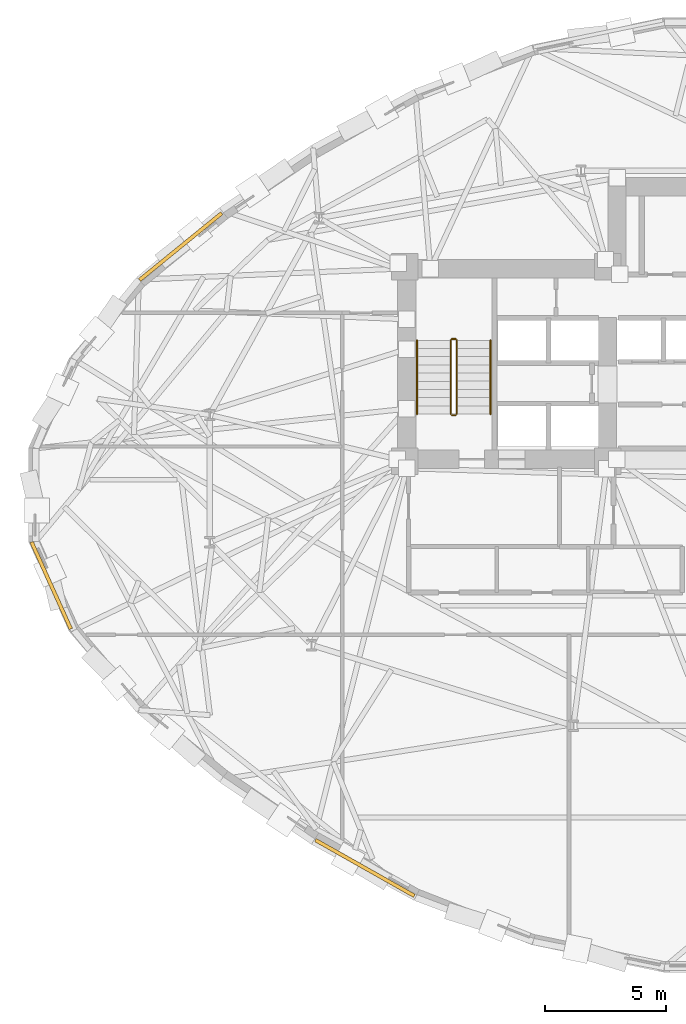
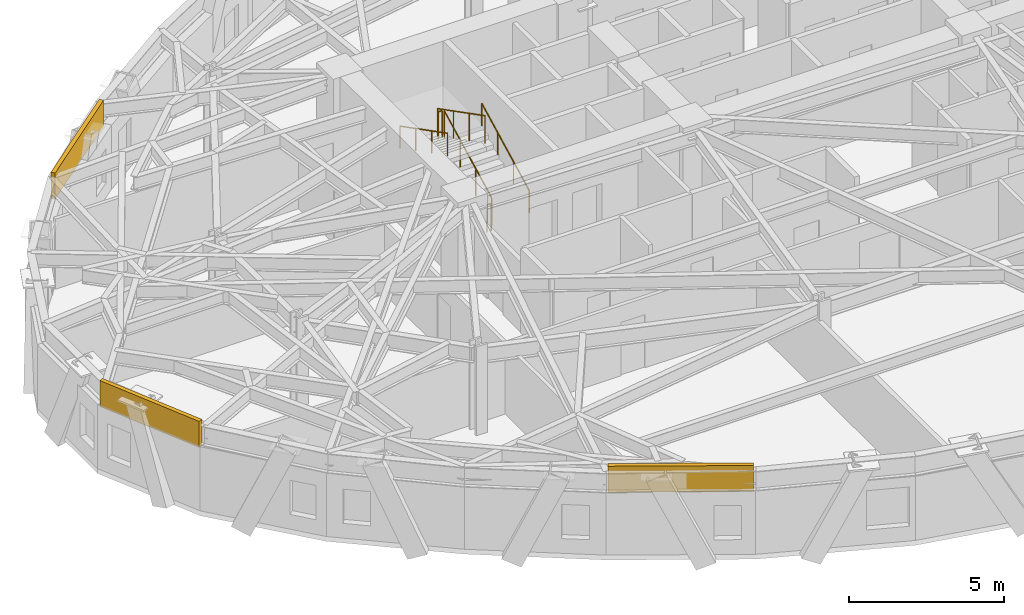
# One storey, part 11 of 14: 6 railings, 3 coverings.
"""IFC4 building model written with IfcOpenShell, lengths in metres."""

from ifc_helpers import new_model, si_unit, direction, frame, origin, origin_2d, place, context, subcontext, project, spatial, rectangle, circle, extrude, material, layer, layer_set, type_object, element, save


model = new_model("IFC4")

# Units and contexts
model_context = context("Model", 3, precision=1e-05, world=origin(), true_north=direction((0.0, 1.0)))
body_context = subcontext(model_context, "Body", "Model", "MODEL_VIEW")
ifc_project = project(units=[si_unit("LENGTHUNIT", "METRE"), si_unit("AREAUNIT", "SQUARE_METRE"), si_unit("VOLUMEUNIT", "CUBIC_METRE"), si_unit("PLANEANGLEUNIT", "RADIAN"), si_unit("MASSUNIT", "GRAM", prefix="KILO")], contexts=[model_context])

# Site, building, storey
site_placement = place(None, origin())
site = spatial("IfcSite", under=ifc_project, at=site_placement, CompositionType="ELEMENT")
building_placement = place(site_placement, origin())
building = spatial("IfcBuilding", under=site, at=building_placement, Name="Keldmark Tower", CompositionType="ELEMENT")
storey_placement = place(building_placement, frame((0.0, 0.0, 86.10009765625)))
storey = spatial("IfcBuildingStorey", under=building, at=storey_placement, Name="L22", CompositionType="ELEMENT", Elevation=86.10009765625)

# Coverings
ifc_material_1 = material(Name="Honed Kasota Buff Dolomitic Limestone", Category="masonry")
ifc_layer = layer(ifc_material_1, 0.074951171875)
ifc_layer_set = layer_set([ifc_layer], Name="Honed Kasota Buff Dolomitic Limestone")
covering_type = type_object("IfcCoveringType", Name="Kasota Buff Limestone Spandrel Cladding Band", PredefinedType="CLADDING", material=ifc_layer_set)
covering_1_placement = place(storey_placement, frame((-22.900634765625, 10.294677734375, 2.45166015625), z_axis=(0.0, 0.0, 1.0), x_axis=(-0.775749121938, -0.631041440646, 0.0)))
element("IfcCovering", 1, at=covering_1_placement, inside=storey, type_object=covering_type, Name="L22 Kasota Limestone Spandrel Band 13", PredefinedType="CLADDING", context=body_context, shape_type="SweptSolid", body=[
    extrude(rectangle(XDim=4.392578125, YDim=0.14990234375, at=origin_2d()), origin(), (0.0, 0.0, 1.0), 1.028076171875),
])
covering_2_placement = place(storey_placement, frame((-28.269287109375, -3.760009765625, 2.45166015625), z_axis=(0.0, 0.0, 1.0), x_axis=(0.411816568745, -0.911266763197, 0.0)))
element("IfcCovering", 2, at=covering_2_placement, inside=storey, type_object=covering_type, Name="L22 Kasota Limestone Spandrel Band 17", PredefinedType="CLADDING", context=body_context, shape_type="SweptSolid", body=[
    extrude(rectangle(XDim=3.9521484375, YDim=0.14990234375, at=origin_2d()), origin(), (0.0, 0.0, 1.0), 1.028076171875),
])
covering_3_placement = place(storey_placement, frame((-15.259765625, -15.4736328125, 2.45166015625), z_axis=(0.0, 0.0, 1.0), x_axis=(0.870716427389, -0.491785423812, 0.0)))
element("IfcCovering", 3, at=covering_3_placement, inside=storey, type_object=covering_type, Name="L22 Kasota Limestone Spandrel Band 21", PredefinedType="CLADDING", context=body_context, shape_type="SweptSolid", body=[
    extrude(rectangle(XDim=4.705078125, YDim=0.14990234375, at=origin_2d()), origin(), (0.0, 0.0, 1.0), 1.028076171875),
])

# Railings
ifc_material_2 = material(Name="Painted Steel ASTM A500 Grade B", Category="steel")
railing_type_1 = type_object("IfcRailingType", Name="Painted Steel Stair Well Guard 1100 mm", PredefinedType="GUARDRAIL", material=ifc_material_2)
railing_1_placement = place(storey_placement, frame((-11.449951171875, 3.35009765625, 0.1748046875)))
element("IfcRailing", 4, at=railing_1_placement, inside=storey, type_object=railing_type_1, Name="L22 ST1 stair guard 1", PredefinedType="GUARDRAIL", context=body_context, shape_type="SweptSolid", body=[
    extrude(circle(Radius=0.02392578125, at=origin_2d()), frame((0.0, 0.0, 1.076171875), z_axis=(0.0, 0.889101422983, 0.457710235465), x_axis=(-1.0, 0.0, 0.0)), (0.0, 0.0, 1.0), 3.44140625),
    extrude(circle(Radius=0.02099609375, at=origin_2d()), origin(), (0.0, 0.0, 1.0), 1.052001953125),
    extrude(circle(Radius=0.02099609375, at=origin_2d()), frame((0.0, 1.02001953125, 0.525146484375)), (0.0, 0.0, 1.0), 1.052001953125),
    extrude(circle(Radius=0.02099609375, at=origin_2d()), frame((0.0, 2.039794921875, 1.050048828125)), (0.0, 0.0, 1.0), 1.052001953125),
    extrude(circle(Radius=0.02099609375, at=origin_2d()), frame((0.0, 3.059814453125, 1.5751953125)), (0.0, 0.0, 1.0), 1.052001953125),
])
railing_2_placement = place(storey_placement, frame((-11.5, 6.4599609375, 1.75)))
element("IfcRailing", 5, at=railing_2_placement, inside=storey, type_object=railing_type_1, Name="L22 ST1 stair guard 2", PredefinedType="GUARDRAIL", context=body_context, shape_type="SweptSolid", body=[
    extrude(circle(Radius=0.02392578125, at=origin_2d()), frame((0.0, 0.0, 1.076171875), z_axis=(-1.0, 0.0, 0.0), x_axis=(0.0, -1.0, 0.0)), (0.0, 0.0, 1.0), 0.14990234375),
    extrude(circle(Radius=0.02099609375, at=origin_2d()), origin(), (0.0, 0.0, 1.0), 1.052001953125),
    extrude(circle(Radius=0.02099609375, at=origin_2d()), frame((-0.14990234375, 0.0, 0.0)), (0.0, 0.0, 1.0), 1.052001953125),
])
railing_3_placement = place(storey_placement, frame((-11.699951171875, 6.409912109375, 1.9248046875)))
element("IfcRailing", 6, at=railing_3_placement, inside=storey, type_object=railing_type_1, Name="L22 ST1 stair guard 3", PredefinedType="GUARDRAIL", context=body_context, shape_type="SweptSolid", body=[
    extrude(circle(Radius=0.02392578125, at=origin_2d()), frame((0.0, 0.0, 1.076171875), z_axis=(0.0, -0.889101422983, 0.457710235465), x_axis=(1.0, 0.0, 0.0)), (0.0, 0.0, 1.0), 3.44140625),
    extrude(circle(Radius=0.02099609375, at=origin_2d()), origin(), (0.0, 0.0, 1.0), 1.052001953125),
    extrude(circle(Radius=0.02099609375, at=origin_2d()), frame((0.0, -1.02001953125, 0.525146484375)), (0.0, 0.0, 1.0), 1.052001953125),
    extrude(circle(Radius=0.02099609375, at=origin_2d()), frame((0.0, -2.039794921875, 1.050048828125)), (0.0, 0.0, 1.0), 1.052001953125),
    extrude(circle(Radius=0.02099609375, at=origin_2d()), frame((0.0, -3.059814453125, 1.5751953125)), (0.0, 0.0, 1.0), 1.052001953125),
])
railing_4_placement = place(storey_placement, frame((-11.5, 3.300048828125, 0.0)))
element("IfcRailing", 7, at=railing_4_placement, inside=storey, type_object=railing_type_1, Name="L22 ST1 stair guard 4", PredefinedType="GUARDRAIL", context=body_context, shape_type="SweptSolid", body=[
    extrude(circle(Radius=0.02392578125, at=origin_2d()), frame((0.0, 0.0, 1.076171875), z_axis=(-1.0, 0.0, 0.0), x_axis=(0.0, -1.0, 0.0)), (0.0, 0.0, 1.0), 0.14990234375),
    extrude(circle(Radius=0.02099609375, at=origin_2d()), origin(), (0.0, 0.0, 1.0), 1.052001953125),
    extrude(circle(Radius=0.02099609375, at=origin_2d()), frame((-0.14990234375, 0.0, 0.0)), (0.0, 0.0, 1.0), 1.052001953125),
])
ifc_material_3 = material(Name="Stainless Steel AISI 316L", Category="steel")
railing_type_2 = type_object("IfcRailingType", Name="Stainless Steel Stair Handrail 900 mm", PredefinedType="HANDRAIL", material=ifc_material_3)
railing_5_placement = place(storey_placement, frame((-10.050048828125, 3.35009765625, 0.1748046875)))
element("IfcRailing", 8, at=railing_5_placement, inside=storey, type_object=railing_type_2, Name="L22 ST1 stair handrail 1", PredefinedType="HANDRAIL", context=body_context, shape_type="SweptSolid", body=[
    extrude(circle(Radius=0.02392578125, at=origin_2d()), frame((0.0, 0.0, 0.8759765625), z_axis=(0.0, 0.889101422983, 0.457710235465), x_axis=(-1.0, 0.0, 0.0)), (0.0, 0.0, 1.0), 3.44140625),
    extrude(circle(Radius=0.02099609375, at=origin_2d()), origin(), (0.0, 0.0, 1.0), 0.851806640625),
    extrude(circle(Radius=0.02099609375, at=origin_2d()), frame((0.0, 1.02001953125, 0.525146484375)), (0.0, 0.0, 1.0), 0.851806640625),
    extrude(circle(Radius=0.02099609375, at=origin_2d()), frame((0.0, 2.039794921875, 1.050048828125)), (0.0, 0.0, 1.0), 0.851806640625),
    extrude(circle(Radius=0.02099609375, at=origin_2d()), frame((0.0, 3.059814453125, 1.5751953125)), (0.0, 0.0, 1.0), 0.851806640625),
])
railing_6_placement = place(storey_placement, frame((-13.10009765625, 6.409912109375, 1.9248046875)))
element("IfcRailing", 9, at=railing_6_placement, inside=storey, type_object=railing_type_2, Name="L22 ST1 stair handrail 2", PredefinedType="HANDRAIL", context=body_context, shape_type="SweptSolid", body=[
    extrude(circle(Radius=0.02392578125, at=origin_2d()), frame((0.0, 0.0, 0.8759765625), z_axis=(0.0, -0.889101422983, 0.457710235465), x_axis=(1.0, 0.0, 0.0)), (0.0, 0.0, 1.0), 3.44140625),
    extrude(circle(Radius=0.02099609375, at=origin_2d()), origin(), (0.0, 0.0, 1.0), 0.851806640625),
    extrude(circle(Radius=0.02099609375, at=origin_2d()), frame((0.0, -1.02001953125, 0.525146484375)), (0.0, 0.0, 1.0), 0.851806640625),
    extrude(circle(Radius=0.02099609375, at=origin_2d()), frame((0.0, -2.039794921875, 1.050048828125)), (0.0, 0.0, 1.0), 0.851806640625),
    extrude(circle(Radius=0.02099609375, at=origin_2d()), frame((0.0, -3.059814453125, 1.5751953125)), (0.0, 0.0, 1.0), 0.851806640625),
])

save(model, "model.ifc")
